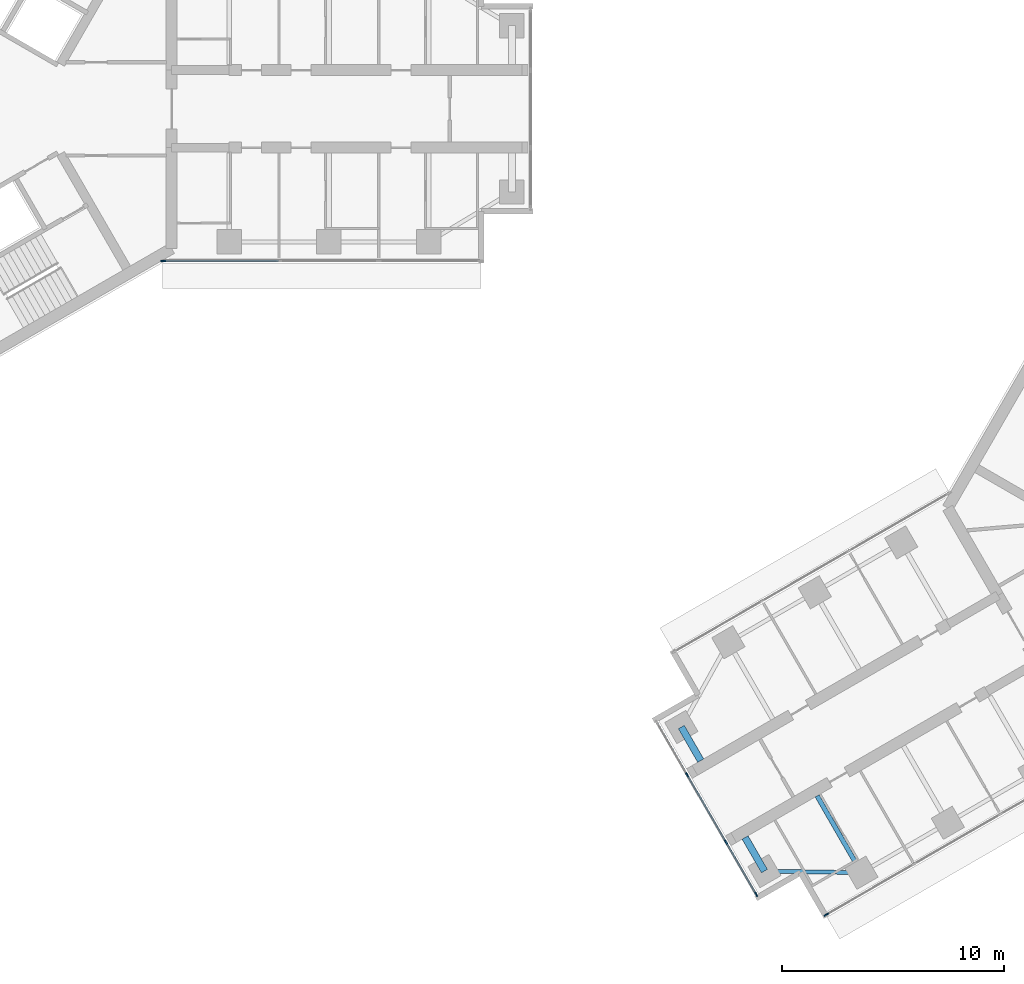
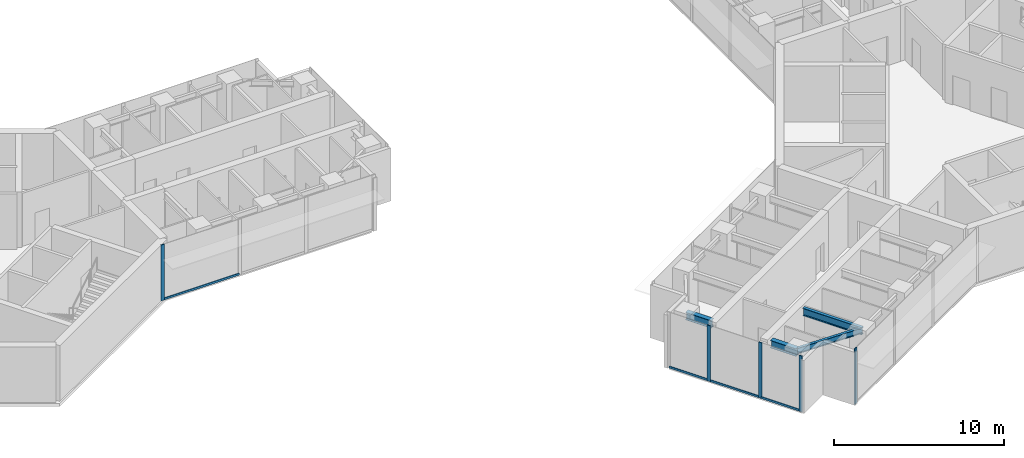
# One storey, part 2 of 17: 9 members, 4 beams, 3 elements without a shape of their own.
"""IFC4 building model written with IfcOpenShell, lengths in metres."""

from ifc_helpers import new_model, si_unit, direction, frame, origin, origin_2d, place, context, subcontext, project, spatial, rectangle, i_section, extrude, material, material_profile, profile_set, type_object, element, aggregate, save


model = new_model("IFC4")

# Units and contexts
model_context = context("Model", 3, precision=1e-05, world=origin(), true_north=direction((0.0, 1.0)))
body_context = subcontext(model_context, "Body", "Model", "MODEL_VIEW")
ifc_project = project(units=[si_unit("LENGTHUNIT", "METRE"), si_unit("AREAUNIT", "SQUARE_METRE"), si_unit("VOLUMEUNIT", "CUBIC_METRE"), si_unit("PLANEANGLEUNIT", "RADIAN"), si_unit("MASSUNIT", "GRAM", prefix="KILO")], contexts=[model_context])

# Site, building, storey
site_placement = place(None, origin())
site = spatial("IfcSite", under=ifc_project, at=site_placement, CompositionType="ELEMENT")
building_placement = place(site_placement, origin())
building = spatial("IfcBuilding", under=site, at=building_placement, Name="Upepo Twin Towers", CompositionType="ELEMENT")
storey_placement = place(building_placement, frame((0.0, 0.0, 230.5)))
storey = spatial("IfcBuildingStorey", under=building, at=storey_placement, Name="L56", CompositionType="ELEMENT", Elevation=230.5)

# Beams
ifc_material_1 = material(Name="Steel S355", Category="steel")
ifc_material_profile_1 = material_profile(ifc_material_1, i_section(OverallWidth=0.177978515625, OverallDepth=0.406494140625, WebThickness=0.0078125, FlangeThickness=0.0126953125, FilletRadius=0.01025390625, at=origin_2d()), Name="UB 406x178x60")
ifc_profile_set_1 = profile_set([ifc_material_profile_1], Name="Steel S355")
beam_type_1 = type_object("IfcBeamType", Name="Beam UB 406x178x60", PredefinedType="BEAM", material=ifc_profile_set_1)
beam_1_placement = place(storey_placement, frame((42.014404296875, -34.446044921875, 3.5966796875), z_axis=(-0.999858804832, 0.016803880528, 0.0), x_axis=(-0.016803880528, -0.999858804832, 0.0)))
element("IfcBeam", 1, at=beam_1_placement, inside=storey, type_object=beam_type_1, Name="T2 nose edge beam BL", PredefinedType="BEAM", context=body_context, shape_type="SweptSolid", body=[
    extrude(i_section(OverallWidth=0.177978515625, OverallDepth=0.406494140625, WebThickness=0.0078125, FlangeThickness=0.0126953125, FilletRadius=0.01025390625, at=origin_2d()), origin(), (0.0, 0.0, 1.0), 4.373291015625),
])
ifc_material_2 = material(Name="Steel S355", Category="steel")
ifc_material_profile_2 = material_profile(ifc_material_2, i_section(OverallWidth=0.209228515625, OverallDepth=0.533203125, WebThickness=0.010009765625, FlangeThickness=0.015625, FilletRadius=0.0126953125, at=origin_2d()), Name="UB 533x210x92")
ifc_profile_set_2 = profile_set([ifc_material_profile_2], Name="Steel S355")
beam_type_2 = type_object("IfcBeamType", Name="Beam UB 533x210x92", PredefinedType="BEAM", material=ifc_profile_set_2)
beam_2_placement = place(storey_placement, frame((42.014404296875, -34.446044921875, 3.533447265625), z_axis=(-0.49999894854, 0.866026010844, 0.0), x_axis=(-0.866026010844, -0.49999894854, 0.0)))
element("IfcBeam", 2, at=beam_2_placement, inside=storey, type_object=beam_type_2, Name="T2 girder BL at 22.5", PredefinedType="BEAM", context=body_context, shape_type="SweptSolid", body=[
    extrude(i_section(OverallWidth=0.209228515625, OverallDepth=0.533203125, WebThickness=0.010009765625, FlangeThickness=0.015625, FilletRadius=0.0126953125, at=origin_2d()), origin(), (0.0, 0.0, 1.0), 4.0),
])
ifc_material_3 = material(Name="Steel S355", Category="steel")
ifc_material_profile_3 = material_profile(ifc_material_3, i_section(OverallWidth=0.31201171875, OverallDepth=0.54345703125, WebThickness=0.0126953125, FlangeThickness=0.020263671875, FilletRadius=0.0126953125, at=origin_2d()), Name="UB 533x312x150")
ifc_profile_set_3 = profile_set([ifc_material_profile_3], Name="Steel S355")
beam_type_3 = type_object("IfcBeamType", Name="Beam UB 533x312x150", PredefinedType="BEAM", material=ifc_profile_set_3)
for number, where, z_axis, x_axis, name in (
    (3, (37.641845703125, -34.37255859375, 3.5283203125), (-0.499980071345, 0.866036909293, 0.0), (-0.866036909293, -0.499980071345, 0.0), "T2 nose beam BL"),
    (4, (33.891845703125, -27.87744140625, 3.5283203125), (0.499980071345, -0.866036909293, 0.0), (0.866036909293, 0.499980071345, 0.0), "T2 nose beam BR"),
):
    element("IfcBeam", number, at=place(storey_placement, frame(where, z_axis=z_axis, x_axis=x_axis)), inside=storey, type_object=beam_type_3, Name=name, PredefinedType="BEAM", context=body_context, shape_type="SweptSolid", body=[
        extrude(i_section(OverallWidth=0.31201171875, OverallDepth=0.54345703125, WebThickness=0.0126953125, FlangeThickness=0.020263671875, FilletRadius=0.0126953125, at=origin_2d()), origin(), (0.0, 0.0, 1.0), 1.75),
    ])

# Curtain wall, member
ifc_material_4 = material(Name="Aluminium and fritted glass", Category="aluminium")
curtain_wall_type = type_object("IfcCurtainWallType", Name="Tower curtain wall TW3, fritted glass", PredefinedType="NOTDEFINED", material=ifc_material_4)
curtain_wall_1_placement = place(storey_placement, origin())
curtain_wall_1 = element("IfcCurtainWall", 5, at=curtain_wall_1_placement, inside=storey, type_object=curtain_wall_type, Name="T1 L56 wing A flank R curtain wall", PredefinedType="NOTDEFINED")
ifc_material_5 = material(Name="Aluminium mullion", Category="aluminium")
ifc_material_profile_4 = material_profile(ifc_material_5, rectangle(XDim=0.06494140625, YDim=0.22509765625, at=origin_2d()), Name="MULLION 65x225")
ifc_profile_set_4 = profile_set([ifc_material_profile_4], Name="Aluminium mullion")
member_type_1 = type_object("IfcMemberType", Name="Mullion 65x225 TW3", PredefinedType="MULLION", material=ifc_profile_set_4)
member_1_placement = place(storey_placement, frame((10.51953125, -6.85009765625, 0.0), z_axis=(0.0, 0.0, 1.0), x_axis=(0.0, -1.0, 0.0)))
member_1 = element("IfcMember", 6, at=member_1_placement, type_object=member_type_1, Name="T1 L56 wing A flank R curtain wall mullion 4", PredefinedType="MULLION", context=body_context, shape_type="SweptSolid", body=[
    extrude(rectangle(XDim=0.06494140625, YDim=0.22509765625, at=origin_2d()), origin(), (0.0, 0.0, 1.0), 4.0),
])

curtain_wall_2_placement = place(storey_placement, origin())
curtain_wall_2 = element("IfcCurtainWall", 7, at=curtain_wall_2_placement, inside=storey, type_object=curtain_wall_type, Name="T2 L56 wing B flank L curtain wall", PredefinedType="NOTDEFINED")
member_2_placement = place(storey_placement, frame((40.432373046875, -36.341064453125, 0.0), z_axis=(0.0, 0.0, 1.0), x_axis=(0.500000026527, -0.866025388469, 0.0)))
member_2 = element("IfcMember", 8, at=member_2_placement, type_object=member_type_1, Name="T2 L56 wing B flank L curtain wall mullion 4", PredefinedType="MULLION", context=body_context, shape_type="SweptSolid", body=[
    extrude(rectangle(XDim=0.06494140625, YDim=0.22509765625, at=origin_2d()), origin(), (0.0, 0.0, 1.0), 4.0),
])
aggregate(curtain_wall_2, [member_2])

# Curtain wall, members
curtain_wall_3_placement = place(storey_placement, origin())
curtain_wall_3 = element("IfcCurtainWall", 9, at=curtain_wall_3_placement, inside=storey, type_object=curtain_wall_type, Name="T2 L56 wing B nose curtain wall", PredefinedType="NOTDEFINED")
member_3_placement = place(storey_placement, frame((34.15576171875, -30.034423828125, 0.0), z_axis=(0.0, 0.0, 1.0), x_axis=(0.866025386174, 0.500000030502, 0.0)))
member_3 = element("IfcMember", 10, at=member_3_placement, type_object=member_type_1, Name="T2 L56 wing B nose curtain wall mullion 2", PredefinedType="MULLION", context=body_context, shape_type="SweptSolid", body=[
    extrude(rectangle(XDim=0.06494140625, YDim=0.22509765625, at=origin_2d()), origin(), (0.0, 0.0, 1.0), 4.0),
])
member_4_placement = place(storey_placement, frame((35.90576171875, -33.0654296875, 0.0), z_axis=(0.0, 0.0, 1.0), x_axis=(0.866025386174, 0.500000030502, 0.0)))
member_4 = element("IfcMember", 11, at=member_4_placement, type_object=member_type_1, Name="T2 L56 wing B nose curtain wall mullion 3", PredefinedType="MULLION", context=body_context, shape_type="SweptSolid", body=[
    extrude(rectangle(XDim=0.06494140625, YDim=0.22509765625, at=origin_2d()), origin(), (0.0, 0.0, 1.0), 4.0),
])
member_5_placement = place(storey_placement, frame((37.264404296875, -35.4189453125, 0.0), z_axis=(0.0, 0.0, 1.0), x_axis=(0.866025386174, 0.500000030502, 0.0)))
member_5 = element("IfcMember", 12, at=member_5_placement, type_object=member_type_1, Name="T2 L56 wing B nose curtain wall mullion 4", PredefinedType="MULLION", context=body_context, shape_type="SweptSolid", body=[
    extrude(rectangle(XDim=0.06494140625, YDim=0.22509765625, at=origin_2d()), origin(), (0.0, 0.0, 1.0), 4.0),
])

# Member
ifc_material_6 = material(Name="Aluminium transom", Category="aluminium")
ifc_material_profile_5 = material_profile(ifc_material_6, rectangle(XDim=0.06494140625, YDim=0.14990234375, at=origin_2d()), Name="TRANSOM 65x150")
ifc_profile_set_5 = profile_set([ifc_material_profile_5], Name="Aluminium transom")
member_type_2 = type_object("IfcMemberType", Name="Transom 65x150 TW3", PredefinedType="USERDEFINED", material=ifc_profile_set_5)
member_6_placement = place(storey_placement, frame((15.717529296875, -6.85009765625, 0.074951171875), z_axis=(-1.0, 0.0, 0.0), x_axis=(0.0, -1.0, 0.0)))
member_6 = element("IfcMember", 13, at=member_6_placement, type_object=member_type_2, Name="T1 L56 wing A flank R curtain wall transom 3", ObjectType="TRANSOM", PredefinedType="USERDEFINED", context=body_context, shape_type="SweptSolid", body=[
    extrude(rectangle(XDim=0.06494140625, YDim=0.14990234375, at=origin_2d()), origin(), (0.0, 0.0, 1.0), 5.16552734375),
])

aggregate(curtain_wall_1, [member_1, member_6])

member_7_placement = place(storey_placement, frame((32.813232421875, -27.709228515625, 0.074951171875), z_axis=(0.499980071345, -0.866036909293, 0.0), x_axis=(0.866036909293, 0.499980071345, 0.0)))
member_7 = element("IfcMember", 14, at=member_7_placement, type_object=member_type_2, Name="T2 L56 wing B nose curtain wall transom 1", ObjectType="TRANSOM", PredefinedType="USERDEFINED", context=body_context, shape_type="SweptSolid", body=[
    extrude(rectangle(XDim=0.06494140625, YDim=0.14990234375, at=origin_2d()), origin(), (0.0, 0.0, 1.0), 2.65234375),
])

member_8_placement = place(storey_placement, frame((34.171875, -30.0625, 0.074951171875), z_axis=(0.499999305434, -0.866025804792, 0.0), x_axis=(0.866025804792, 0.499999305434, 0.0)))
member_8 = element("IfcMember", 15, at=member_8_placement, type_object=member_type_2, Name="T2 L56 wing B nose curtain wall transom 2", ObjectType="TRANSOM", PredefinedType="USERDEFINED", context=body_context, shape_type="SweptSolid", body=[
    extrude(rectangle(XDim=0.06494140625, YDim=0.14990234375, at=origin_2d()), origin(), (0.0, 0.0, 1.0), 3.43505859375),
])

member_9_placement = place(storey_placement, frame((35.921875, -33.09375, 0.074951171875), z_axis=(0.500049101008, -0.865997053448, 0.0), x_axis=(0.865997053448, 0.500049101008, 0.0)))
member_9 = element("IfcMember", 16, at=member_9_placement, type_object=member_type_2, Name="T2 L56 wing B nose curtain wall transom 3", ObjectType="TRANSOM", PredefinedType="USERDEFINED", context=body_context, shape_type="SweptSolid", body=[
    extrude(rectangle(XDim=0.06494140625, YDim=0.14990234375, at=origin_2d()), origin(), (0.0, 0.0, 1.0), 2.652587890625),
])

aggregate(curtain_wall_3, [member_3, member_4, member_5, member_7, member_8, member_9])

save(model, "model.ifc")
